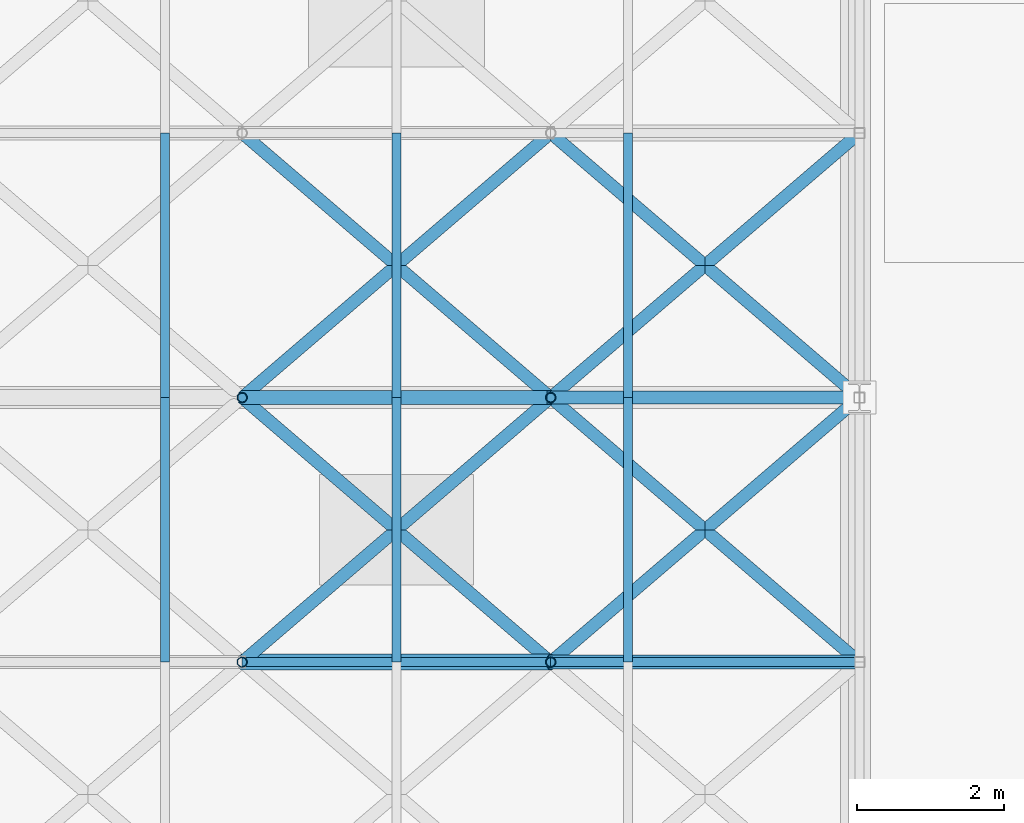
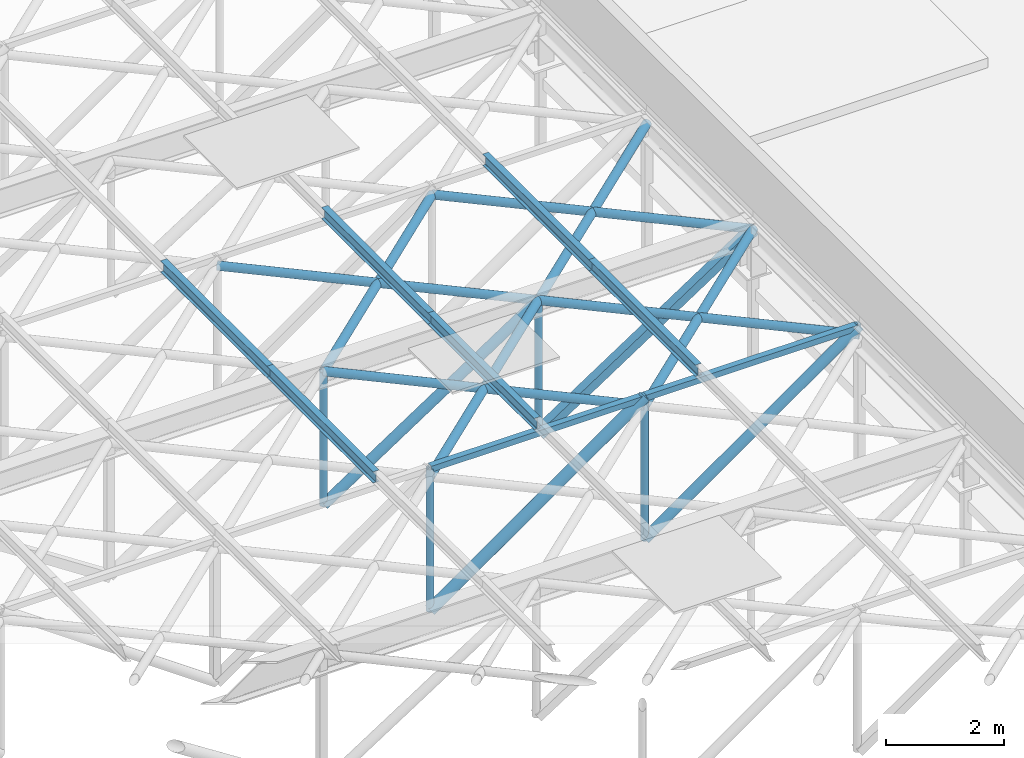
# One storey, part 15 of 45: 24 members.
"""IFC4 building model written with IfcOpenShell, lengths in metres."""

from ifc_helpers import new_model, si_unit, derived_unit, direction, frame, origin, origin_2d, place, context, subcontext, project, spatial, hollow_rectangle, hollow_circle, i_section, extrude, material, material_profile, profile_set, type_object, element, save


model = new_model("IFC4")

# Units and contexts
model_context = context("Model", 3, precision=1e-05, world=origin(), true_north=direction((0.0, 1.0)))
body_context = subcontext(model_context, "Body", "Model", "MODEL_VIEW")
ifc_project = project(units=[si_unit("LENGTHUNIT", "METRE"), si_unit("AREAUNIT", "SQUARE_METRE"), si_unit("VOLUMEUNIT", "CUBIC_METRE"), si_unit("PLANEANGLEUNIT", "RADIAN"), si_unit("MASSUNIT", "GRAM", prefix="KILO"), derived_unit("THERMALTRANSMITTANCEUNIT", [(si_unit("MASSUNIT", "GRAM", prefix="KILO"), 1), (si_unit("TIMEUNIT", "SECOND"), -3), (si_unit("THERMODYNAMICTEMPERATUREUNIT", "KELVIN"), -1)])], contexts=[model_context])

# Site, building, storey
site_placement = place(None, origin())
site = spatial("IfcSite", under=ifc_project, at=site_placement, CompositionType="ELEMENT")
building_placement = place(site_placement, origin())
building = spatial("IfcBuilding", under=site, at=building_placement, Name="Veldstrom Oceanarium and Marine Research Institute", CompositionType="ELEMENT")
storey_placement = place(building_placement, frame((0.0, 0.0, 22.199951171875)))
storey = spatial("IfcBuildingStorey", under=building, at=storey_placement, Name="L04", CompositionType="ELEMENT", Elevation=22.199951171875)

# Members
ifc_material_1 = material(Name="Steel S355JR", Category="steel")
ifc_material_profile_1 = material_profile(ifc_material_1, hollow_circle(Radius=0.109619140625, WallThickness=0.012451171875, at=origin_2d()), Name="CHS 219.1x12.5")
ifc_profile_set_1 = profile_set([ifc_material_profile_1], Name="Steel S355JR")
member_type_1 = type_object("IfcMemberType", Name="STR-MEM-BR1", PredefinedType="BRACE", material=ifc_profile_set_1)
member_1_placement = place(storey_placement, frame((33.60009765625, 32.39990234375, -1.89990234375), z_axis=(0.818316866904, 0.0, 0.574767348881), x_axis=(0.0, 1.0, 0.0)))
element("IfcMember", 1, at=member_1_placement, inside=storey, type_object=member_type_1, Name="Truss Web Diagonal RT06-5", PredefinedType="BRACE", context=body_context, shape_type="SweptSolid", body=[
    extrude(hollow_circle(Radius=0.109619140625, WallThickness=0.012451171875, at=origin_2d()), origin(), (0.0, 0.0, 1.0), 5.13232421875),
])
ifc_material_2 = material(Name="Steel S355JR", Category="steel")
ifc_material_profile_2 = material_profile(ifc_material_2, hollow_circle(Radius=0.096923828125, WallThickness=0.010009765625, at=origin_2d()), Name="CHS 193.7x10")
ifc_profile_set_2 = profile_set([ifc_material_profile_2], Name="Steel S355JR")
member_type_2 = type_object("IfcMemberType", Name="STR-MEM-BR2", PredefinedType="BRACE", material=ifc_profile_set_2)
member_2_placement = place(storey_placement, frame((37.800048828125, 32.39990234375, -1.89990234375), z_axis=(0.818316866904, 0.0, 0.574767348881), x_axis=(0.0, 1.0, 0.0)))
element("IfcMember", 2, at=member_2_placement, inside=storey, type_object=member_type_2, Name="Truss Web Diagonal RT06-6", PredefinedType="BRACE", context=body_context, shape_type="SweptSolid", body=[
    extrude(hollow_circle(Radius=0.096923828125, WallThickness=0.010009765625, at=origin_2d()), origin(), (0.0, 0.0, 1.0), 5.13232421875),
])
member_3_placement = place(storey_placement, frame((33.60009765625, 36.0, -1.89990234375), z_axis=(0.835701657629, 0.0, 0.549183702813), x_axis=(0.0, 1.0, 0.0)))
element("IfcMember", 3, at=member_3_placement, inside=storey, type_object=member_type_2, Name="Truss Web Diagonal RT07-5", PredefinedType="BRACE", context=body_context, shape_type="SweptSolid", body=[
    extrude(hollow_circle(Radius=0.096923828125, WallThickness=0.010009765625, at=origin_2d()), origin(), (0.0, 0.0, 1.0), 5.025634765625),
])
ifc_material_3 = material(Name="Steel S355JR", Category="steel")
ifc_material_profile_3 = material_profile(ifc_material_3, hollow_circle(Radius=0.084228515625, WallThickness=0.008056640625, at=origin_2d()), Name="CHS 168.3x8")
ifc_profile_set_3 = profile_set([ifc_material_profile_3], Name="Steel S355JR")
member_type_3 = type_object("IfcMemberType", Name="STR-MEM-BR3", PredefinedType="BRACE", material=ifc_profile_set_3)
for number, where, z_axis, x_axis, name in (
    (4, (33.60009765625, 32.39990234375, 0.860107421875), (0.759244140748, 0.650805911728, 0.0), (-0.650805911728, 0.759244140748, 0.0), "Roof Plan Wind Brace WB-06-5"),
    (5, (37.800048828125, 32.39990234375, 0.860107421875), (-0.759244140748, 0.650805911728, 0.0), (-0.650805911728, -0.759244140748, 0.0), "Roof Plan Counter Wind Brace WB-06-5B"),
    (6, (37.800048828125, 32.39990234375, 0.860107421875), (0.759244140748, 0.650805911728, 0.0), (-0.650805911728, 0.759244140748, 0.0), "Roof Plan Wind Brace WB-06-6"),
    (7, (42.0, 32.39990234375, 0.860107421875), (-0.759244140748, 0.650805911728, 0.0), (-0.650805911728, -0.759244140748, 0.0), "Roof Plan Counter Wind Brace WB-06-6B"),
    (8, (33.60009765625, 36.0, 0.860107421875), (0.759244140748, 0.650805911728, 0.0), (-0.650805911728, 0.759244140748, 0.0), "Roof Plan Wind Brace WB-07-5"),
    (9, (37.800048828125, 36.0, 0.860107421875), (-0.759244140748, 0.650805911728, 0.0), (-0.650805911728, -0.759244140748, 0.0), "Roof Plan Counter Wind Brace WB-07-5B"),
    (10, (37.800048828125, 36.0, 0.860107421875), (0.759244140748, 0.650805911728, 0.0), (-0.650805911728, 0.759244140748, 0.0), "Roof Plan Wind Brace WB-07-6"),
    (11, (42.0, 36.0, 0.860107421875), (-0.759244140748, 0.650805911728, 0.0), (-0.650805911728, -0.759244140748, 0.0), "Roof Plan Counter Wind Brace WB-07-6B"),
):
    element("IfcMember", number, at=place(storey_placement, frame(where, z_axis=z_axis, x_axis=x_axis)), inside=storey, type_object=member_type_3, Name=name, PredefinedType="BRACE", context=body_context, shape_type="SweptSolid", body=[
        extrude(hollow_circle(Radius=0.084228515625, WallThickness=0.008056640625, at=origin_2d()), origin(), (0.0, 0.0, 1.0), 5.53173828125),
    ])
ifc_material_4 = material(Name="Steel S355JR", Category="steel")
ifc_material_profile_4 = material_profile(ifc_material_4, hollow_rectangle(XDim=0.179931640625, YDim=0.179931640625, WallThickness=0.010009765625, at=origin_2d()), Name="SHS 180x180x10")
ifc_profile_set_4 = profile_set([ifc_material_profile_4], Name="Steel S355JR")
member_type_4 = type_object("IfcMemberType", Name="STR-MEM-BR4", PredefinedType="BRACE", material=ifc_profile_set_4)
member_4_placement = place(storey_placement, frame((37.800048828125, 36.0, -1.89990234375), z_axis=(0.835701657629, 0.0, 0.549183702813), x_axis=(0.0, 1.0, 0.0)))
element("IfcMember", 12, at=member_4_placement, inside=storey, type_object=member_type_4, Name="Truss Web Diagonal RT07-6", PredefinedType="BRACE", context=body_context, shape_type="SweptSolid", body=[
    extrude(hollow_rectangle(XDim=0.179931640625, YDim=0.179931640625, WallThickness=0.010009765625, at=origin_2d()), origin(), (0.0, 0.0, 1.0), 5.025634765625),
])
ifc_material_5 = material(Name="Steel S355JR", Category="steel")
ifc_material_profile_5 = material_profile(ifc_material_5, i_section(OverallWidth=0.1201171875, OverallDepth=0.239990234375, WebThickness=0.006103515625, FlangeThickness=0.009765625, FilletRadius=0.014892578125, at=origin_2d()), Name="IPE 240")
ifc_profile_set_5 = profile_set([ifc_material_profile_5], Name="Steel S355JR")
member_type_5 = type_object("IfcMemberType", Name="STR-MEM-PR1", PredefinedType="PURLIN", material=ifc_profile_set_5)
for number, where, z_axis, x_axis, name in (
    (13, (32.550048828125, 32.39990234375, 1.22998046875), (0.0, 1.0, 0.0), (-1.0, 0.0, 0.0), "Hall Roof Purlin PR-07-6"),
    (14, (35.699951171875, 32.39990234375, 1.22998046875), (0.0, 1.0, 0.0), (-1.0, 0.0, 0.0), "Hall Roof Purlin PR-07-7"),
    (15, (38.85009765625, 32.39990234375, 1.22998046875), (0.0, 1.0, 0.0), (-1.0, 0.0, 0.0), "Hall Roof Purlin PR-07-8"),
    (16, (32.550048828125, 36.0, 1.22998046875), (0.0, 1.0, 0.0), (-1.0, 0.0, 0.0), "Hall Roof Purlin PR-08-6"),
    (17, (35.699951171875, 36.0, 1.22998046875), (0.0, 1.0, 0.0), (-1.0, 0.0, 0.0), "Hall Roof Purlin PR-08-7"),
    (18, (38.85009765625, 36.0, 1.22998046875), (0.0, 1.0, 0.0), (-1.0, 0.0, 0.0), "Hall Roof Purlin PR-08-8"),
):
    element("IfcMember", number, at=place(storey_placement, frame(where, z_axis=z_axis, x_axis=x_axis)), inside=storey, type_object=member_type_5, Name=name, PredefinedType="PURLIN", context=body_context, shape_type="SweptSolid", body=[
        extrude(i_section(OverallWidth=0.1201171875, OverallDepth=0.239990234375, WebThickness=0.006103515625, FlangeThickness=0.009765625, FilletRadius=0.014892578125, at=origin_2d()), origin(), (0.0, 0.0, 1.0), 3.60009765625),
    ])
ifc_material_6 = material(Name="Steel S355JR", Category="steel")
ifc_material_profile_6 = material_profile(ifc_material_6, hollow_circle(Radius=0.06982421875, WallThickness=0.008056640625, at=origin_2d()), Name="CHS 139.7x8")
ifc_profile_set_6 = profile_set([ifc_material_profile_6], Name="Steel S355JR")
member_type_6 = type_object("IfcMemberType", Name="STR-MEM-PS2", PredefinedType="POST", material=ifc_profile_set_6)
for number, where, z_axis, x_axis, name in (
    (19, (33.60009765625, 32.39990234375, -1.89990234375), (0.0, 0.0, 1.0), (1.0, 0.0, 0.0), "Truss Vertical Post RT06-5"),
    (20, (37.800048828125, 32.39990234375, -1.89990234375), (0.0, 0.0, 1.0), (1.0, 0.0, 0.0), "Truss Vertical Post RT06-6"),
):
    element("IfcMember", number, at=place(storey_placement, frame(where, z_axis=z_axis, x_axis=x_axis)), inside=storey, type_object=member_type_6, Name=name, PredefinedType="POST", context=body_context, shape_type="SweptSolid", body=[
        extrude(hollow_circle(Radius=0.06982421875, WallThickness=0.008056640625, at=origin_2d()), origin(), (0.0, 0.0, 1.0), 2.949951171875),
    ])
for number, where, z_axis, x_axis, name in (
    (21, (33.60009765625, 36.0, -1.89990234375), (0.0, 0.0, 1.0), (1.0, 0.0, 0.0), "Truss Vertical Post RT07-5"),
    (22, (37.800048828125, 36.0, -1.89990234375), (0.0, 0.0, 1.0), (1.0, 0.0, 0.0), "Truss Vertical Post RT07-6"),
):
    element("IfcMember", number, at=place(storey_placement, frame(where, z_axis=z_axis, x_axis=x_axis)), inside=storey, type_object=member_type_6, Name=name, PredefinedType="POST", context=body_context, shape_type="SweptSolid", body=[
        extrude(hollow_circle(Radius=0.06982421875, WallThickness=0.008056640625, at=origin_2d()), origin(), (0.0, 0.0, 1.0), 2.760009765625),
    ])
ifc_material_7 = material(Name="Steel S355JR", Category="steel")
ifc_material_profile_7 = material_profile(ifc_material_7, hollow_rectangle(XDim=0.1201171875, YDim=0.1201171875, WallThickness=0.008056640625, at=origin_2d()), Name="SHS 120x120x8")
ifc_profile_set_7 = profile_set([ifc_material_profile_7], Name="Steel S355JR")
member_type_7 = type_object("IfcMemberType", Name="STR-MEM-RF1", PredefinedType="RAFTER", material=ifc_profile_set_7)
for number, where, z_axis, x_axis, name in (
    (23, (33.60009765625, 32.39990234375, 1.050048828125), (1.0, 0.0, 0.0), (0.0, 1.0, 0.0), "Truss Top Rafter RT06-5"),
    (24, (37.800048828125, 32.39990234375, 1.050048828125), (1.0, 0.0, 0.0), (0.0, 1.0, 0.0), "Truss Top Rafter RT06-6"),
):
    element("IfcMember", number, at=place(storey_placement, frame(where, z_axis=z_axis, x_axis=x_axis)), inside=storey, type_object=member_type_7, Name=name, PredefinedType="RAFTER", context=body_context, shape_type="SweptSolid", body=[
        extrude(hollow_rectangle(XDim=0.1201171875, YDim=0.1201171875, WallThickness=0.008056640625, at=origin_2d()), origin(), (0.0, 0.0, 1.0), 4.199951171875),
    ])

save(model, "model.ifc")
